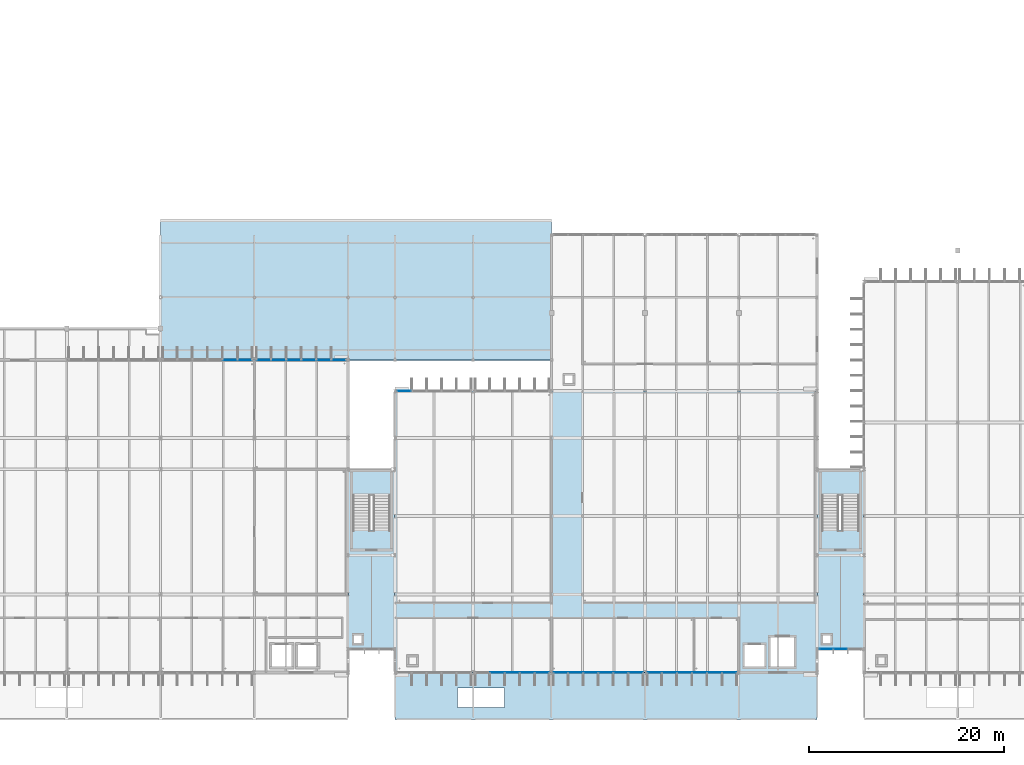
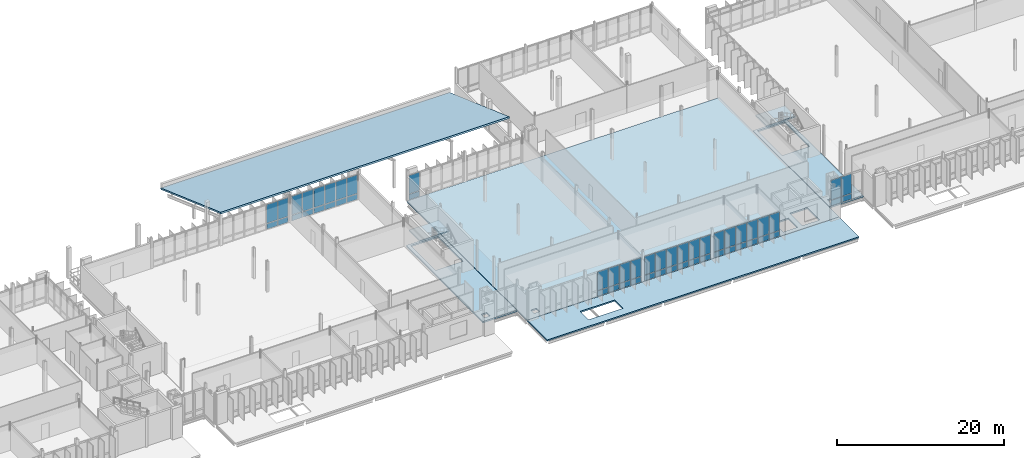
# One storey, part 49 of 107: 54 plates, 7 slabs, 9 elements without a shape of their own.
"""IFC4 building model written with IfcOpenShell, lengths in metres."""

from ifc_helpers import new_model, si_unit, direction, frame, origin, origin_2d, place, context, subcontext, project, spatial, polyline, rectangle, outline, extrude, material, layer, layer_set, type_object, element, aggregate, save


model = new_model("IFC4")

# Units and contexts
model_context = context("Model", 3, precision=1e-05, world=origin(), true_north=direction((0.0, 1.0)))
body_context = subcontext(model_context, "Body", "Model", "MODEL_VIEW")
ifc_project = project(units=[si_unit("LENGTHUNIT", "METRE"), si_unit("AREAUNIT", "SQUARE_METRE"), si_unit("VOLUMEUNIT", "CUBIC_METRE"), si_unit("PLANEANGLEUNIT", "RADIAN"), si_unit("MASSUNIT", "GRAM", prefix="KILO")], contexts=[model_context])

# Site, building, storey
site_placement = place(None, origin())
site = spatial("IfcSite", under=ifc_project, at=site_placement, CompositionType="ELEMENT")
building_placement = place(site_placement, origin())
building = spatial("IfcBuilding", under=site, at=building_placement, Name="Dunescarp Central Library", CompositionType="ELEMENT")
storey_placement = place(building_placement, frame((0.0, 0.0, 5.10009765625)))
storey = spatial("IfcBuildingStorey", under=building, at=storey_placement, Name="L01", CompositionType="ELEMENT", Elevation=5.10009765625)

# Curtain wall, plates
ifc_material_1 = material(Name="Marine-grade anodised aluminium 6063-T6", Category="aluminium")
curtain_wall_type_1 = type_object("IfcCurtainWallType", Name="ARC-CW-STICK", PredefinedType="NOTDEFINED", material=ifc_material_1)
curtain_wall_1_placement = place(storey_placement, origin())
curtain_wall_1 = element("IfcCurtainWall", 1, at=curtain_wall_1_placement, inside=storey, type_object=curtain_wall_type_1, Name="L01 curtain wall CW-V2-052", PredefinedType="NOTDEFINED")
ifc_material_2 = material(Name="Solar-control laminated double glazing", Category="glass")
ifc_layer_1 = layer(ifc_material_2, 0.028076171875)
ifc_layer_set_1 = layer_set([ifc_layer_1], Name="Solar-control laminated double glazing")
plate_type_1 = type_object("IfcPlateType", Name="ARC-PLT-GLZ28", PredefinedType="CURTAIN_PANEL", material=ifc_layer_set_1)
plate_1_placement = place(storey_placement, frame((64.71240234375, 36.800048828125, 0.93994140625), z_axis=(0.0, 0.0, 1.0), x_axis=(1.0, 0.0, 0.0)))
plate_1 = element("IfcPlate", 2, at=plate_1_placement, type_object=plate_type_1, Name="CW-V2-052 panel 5.2", PredefinedType="CURTAIN_PANEL", context=body_context, shape_type="SweptSolid", body=[
    extrude(rectangle(XDim=1.461669921875, YDim=0.028076171875, at=origin_2d()), origin(), (0.0, 0.0, 1.0), 2.7451171875),
])
plate_2_placement = place(storey_placement, frame((66.234130859375, 36.800048828125, 0.93994140625), z_axis=(0.0, 0.0, 1.0), x_axis=(1.0, 0.0, 0.0)))
plate_2 = element("IfcPlate", 3, at=plate_2_placement, type_object=plate_type_1, Name="CW-V2-052 panel 6.2", PredefinedType="CURTAIN_PANEL", context=body_context, shape_type="SweptSolid", body=[
    extrude(rectangle(XDim=1.421630859375, YDim=0.028076171875, at=origin_2d()), origin(), (0.0, 0.0, 1.0), 2.7451171875),
])

curtain_wall_2_placement = place(storey_placement, origin())
curtain_wall_2 = element("IfcCurtainWall", 4, at=curtain_wall_2_placement, inside=storey, type_object=curtain_wall_type_1, Name="L01 curtain wall CW-V2-053", PredefinedType="NOTDEFINED")
plate_3_placement = place(storey_placement, frame((68.165771484375, 36.800048828125, 0.93994140625), z_axis=(0.0, 0.0, 1.0), x_axis=(1.0, 0.0, 0.0)))
plate_3 = element("IfcPlate", 5, at=plate_3_placement, type_object=plate_type_1, Name="CW-V2-053 panel 1.2", PredefinedType="CURTAIN_PANEL", context=body_context, shape_type="SweptSolid", body=[
    extrude(rectangle(XDim=1.421630859375, YDim=0.028076171875, at=origin_2d()), origin(), (0.0, 0.0, 1.0), 2.7451171875),
])
plate_4_placement = place(storey_placement, frame((69.6875, 36.800048828125, 0.93994140625), z_axis=(0.0, 0.0, 1.0), x_axis=(1.0, 0.0, 0.0)))
plate_4 = element("IfcPlate", 6, at=plate_4_placement, type_object=plate_type_1, Name="CW-V2-053 panel 2.2", PredefinedType="CURTAIN_PANEL", context=body_context, shape_type="SweptSolid", body=[
    extrude(rectangle(XDim=1.461669921875, YDim=0.028076171875, at=origin_2d()), origin(), (0.0, 0.0, 1.0), 2.7451171875),
])
plate_5_placement = place(storey_placement, frame((71.229248046875, 36.800048828125, 0.93994140625), z_axis=(0.0, 0.0, 1.0), x_axis=(1.0, 0.0, 0.0)))
plate_5 = element("IfcPlate", 7, at=plate_5_placement, type_object=plate_type_1, Name="CW-V2-053 panel 3.2", PredefinedType="CURTAIN_PANEL", context=body_context, shape_type="SweptSolid", body=[
    extrude(rectangle(XDim=1.461669921875, YDim=0.028076171875, at=origin_2d()), origin(), (0.0, 0.0, 1.0), 2.7451171875),
])
plate_6_placement = place(storey_placement, frame((72.770751953125, 36.800048828125, 0.93994140625), z_axis=(0.0, 0.0, 1.0), x_axis=(1.0, 0.0, 0.0)))
plate_6 = element("IfcPlate", 8, at=plate_6_placement, type_object=plate_type_1, Name="CW-V2-053 panel 4.2", PredefinedType="CURTAIN_PANEL", context=body_context, shape_type="SweptSolid", body=[
    extrude(rectangle(XDim=1.461669921875, YDim=0.028076171875, at=origin_2d()), origin(), (0.0, 0.0, 1.0), 2.7451171875),
])
plate_7_placement = place(storey_placement, frame((74.3125, 36.800048828125, 0.93994140625), z_axis=(0.0, 0.0, 1.0), x_axis=(1.0, 0.0, 0.0)))
plate_7 = element("IfcPlate", 9, at=plate_7_placement, type_object=plate_type_1, Name="CW-V2-053 panel 5.2", PredefinedType="CURTAIN_PANEL", context=body_context, shape_type="SweptSolid", body=[
    extrude(rectangle(XDim=1.461669921875, YDim=0.028076171875, at=origin_2d()), origin(), (0.0, 0.0, 1.0), 2.7451171875),
])
plate_8_placement = place(storey_placement, frame((75.834228515625, 36.800048828125, 0.93994140625), z_axis=(0.0, 0.0, 1.0), x_axis=(1.0, 0.0, 0.0)))
plate_8 = element("IfcPlate", 10, at=plate_8_placement, type_object=plate_type_1, Name="CW-V2-053 panel 6.2", PredefinedType="CURTAIN_PANEL", context=body_context, shape_type="SweptSolid", body=[
    extrude(rectangle(XDim=1.421630859375, YDim=0.028076171875, at=origin_2d()), origin(), (0.0, 0.0, 1.0), 2.7451171875),
])

curtain_wall_3_placement = place(storey_placement, origin())
curtain_wall_3 = element("IfcCurtainWall", 11, at=curtain_wall_3_placement, inside=storey, type_object=curtain_wall_type_1, Name="L01 curtain wall CW-V3-085", PredefinedType="NOTDEFINED")
plate_9_placement = place(storey_placement, frame((96.639892578125, 4.800048828125, 0.93994140625), z_axis=(0.0, 0.0, 1.0), x_axis=(-1.0, 0.0, 0.0)))
plate_9 = element("IfcPlate", 12, at=plate_9_placement, type_object=plate_type_1, Name="CW-V3-085 panel 1.2", PredefinedType="CURTAIN_PANEL", context=body_context, shape_type="SweptSolid", body=[
    extrude(rectangle(XDim=1.409912109375, YDim=0.028076171875, at=origin_2d()), origin(), (0.0, 0.0, 1.0), 2.695068359375),
])
plate_10_placement = place(storey_placement, frame((95.1298828125, 4.800048828125, 0.93994140625), z_axis=(0.0, 0.0, 1.0), x_axis=(-1.0, 0.0, 0.0)))
plate_10 = element("IfcPlate", 13, at=plate_10_placement, type_object=plate_type_1, Name="CW-V3-085 panel 2.2", PredefinedType="CURTAIN_PANEL", context=body_context, shape_type="SweptSolid", body=[
    extrude(rectangle(XDim=1.449951171875, YDim=0.028076171875, at=origin_2d()), origin(), (0.0, 0.0, 1.0), 2.695068359375),
])
plate_11_placement = place(storey_placement, frame((93.60009765625, 4.800048828125, 0.93994140625), z_axis=(0.0, 0.0, 1.0), x_axis=(-1.0, 0.0, 0.0)))
plate_11 = element("IfcPlate", 14, at=plate_11_placement, type_object=plate_type_1, Name="CW-V3-085 panel 3.2", PredefinedType="CURTAIN_PANEL", context=body_context, shape_type="SweptSolid", body=[
    extrude(rectangle(XDim=1.449951171875, YDim=0.028076171875, at=origin_2d()), origin(), (0.0, 0.0, 1.0), 2.695068359375),
])
plate_12_placement = place(storey_placement, frame((92.070068359375, 4.800048828125, 0.93994140625), z_axis=(0.0, 0.0, 1.0), x_axis=(-1.0, 0.0, 0.0)))
plate_12 = element("IfcPlate", 15, at=plate_12_placement, type_object=plate_type_1, Name="CW-V3-085 panel 4.2", PredefinedType="CURTAIN_PANEL", context=body_context, shape_type="SweptSolid", body=[
    extrude(rectangle(XDim=1.449951171875, YDim=0.028076171875, at=origin_2d()), origin(), (0.0, 0.0, 1.0), 2.695068359375),
])

curtain_wall_4_placement = place(storey_placement, origin())
curtain_wall_4 = element("IfcCurtainWall", 16, at=curtain_wall_4_placement, inside=storey, type_object=curtain_wall_type_1, Name="L01 curtain wall CW-V3-086", PredefinedType="NOTDEFINED")
plate_13_placement = place(storey_placement, frame((106.234130859375, 4.800048828125, 0.93994140625), z_axis=(0.0, 0.0, 1.0), x_axis=(-1.0, 0.0, 0.0)))
plate_13 = element("IfcPlate", 17, at=plate_13_placement, type_object=plate_type_1, Name="CW-V3-086 panel 1.2", PredefinedType="CURTAIN_PANEL", context=body_context, shape_type="SweptSolid", body=[
    extrude(rectangle(XDim=1.421630859375, YDim=0.028076171875, at=origin_2d()), origin(), (0.0, 0.0, 1.0), 2.695068359375),
])
plate_14_placement = place(storey_placement, frame((104.71240234375, 4.800048828125, 0.93994140625), z_axis=(0.0, 0.0, 1.0), x_axis=(-1.0, 0.0, 0.0)))
plate_14 = element("IfcPlate", 18, at=plate_14_placement, type_object=plate_type_1, Name="CW-V3-086 panel 2.2", PredefinedType="CURTAIN_PANEL", context=body_context, shape_type="SweptSolid", body=[
    extrude(rectangle(XDim=1.461669921875, YDim=0.028076171875, at=origin_2d()), origin(), (0.0, 0.0, 1.0), 2.695068359375),
])
plate_15_placement = place(storey_placement, frame((103.1708984375, 4.800048828125, 0.93994140625), z_axis=(0.0, 0.0, 1.0), x_axis=(-1.0, 0.0, 0.0)))
plate_15 = element("IfcPlate", 19, at=plate_15_placement, type_object=plate_type_1, Name="CW-V3-086 panel 3.2", PredefinedType="CURTAIN_PANEL", context=body_context, shape_type="SweptSolid", body=[
    extrude(rectangle(XDim=1.461669921875, YDim=0.028076171875, at=origin_2d()), origin(), (0.0, 0.0, 1.0), 2.695068359375),
])
plate_16_placement = place(storey_placement, frame((101.629150390625, 4.800048828125, 0.93994140625), z_axis=(0.0, 0.0, 1.0), x_axis=(-1.0, 0.0, 0.0)))
plate_16 = element("IfcPlate", 20, at=plate_16_placement, type_object=plate_type_1, Name="CW-V3-086 panel 4.2", PredefinedType="CURTAIN_PANEL", context=body_context, shape_type="SweptSolid", body=[
    extrude(rectangle(XDim=1.461669921875, YDim=0.028076171875, at=origin_2d()), origin(), (0.0, 0.0, 1.0), 2.695068359375),
])
plate_17_placement = place(storey_placement, frame((100.08740234375, 4.800048828125, 0.93994140625), z_axis=(0.0, 0.0, 1.0), x_axis=(-1.0, 0.0, 0.0)))
plate_17 = element("IfcPlate", 21, at=plate_17_placement, type_object=plate_type_1, Name="CW-V3-086 panel 5.2", PredefinedType="CURTAIN_PANEL", context=body_context, shape_type="SweptSolid", body=[
    extrude(rectangle(XDim=1.461669921875, YDim=0.028076171875, at=origin_2d()), origin(), (0.0, 0.0, 1.0), 2.695068359375),
])
plate_18_placement = place(storey_placement, frame((98.56591796875, 4.800048828125, 0.93994140625), z_axis=(0.0, 0.0, 1.0), x_axis=(-1.0, 0.0, 0.0)))
plate_18 = element("IfcPlate", 22, at=plate_18_placement, type_object=plate_type_1, Name="CW-V3-086 panel 6.2", PredefinedType="CURTAIN_PANEL", context=body_context, shape_type="SweptSolid", body=[
    extrude(rectangle(XDim=1.421630859375, YDim=0.028076171875, at=origin_2d()), origin(), (0.0, 0.0, 1.0), 2.695068359375),
])

curtain_wall_5_placement = place(storey_placement, origin())
curtain_wall_5 = element("IfcCurtainWall", 23, at=curtain_wall_5_placement, inside=storey, type_object=curtain_wall_type_1, Name="L01 curtain wall CW-V3-087", PredefinedType="NOTDEFINED")
plate_19_placement = place(storey_placement, frame((115.834228515625, 4.800048828125, 0.93994140625), z_axis=(0.0, 0.0, 1.0), x_axis=(-1.0, 0.0, 0.0)))
plate_19 = element("IfcPlate", 24, at=plate_19_placement, type_object=plate_type_1, Name="CW-V3-087 panel 1.2", PredefinedType="CURTAIN_PANEL", context=body_context, shape_type="SweptSolid", body=[
    extrude(rectangle(XDim=1.421630859375, YDim=0.028076171875, at=origin_2d()), origin(), (0.0, 0.0, 1.0), 2.695068359375),
])
plate_20_placement = place(storey_placement, frame((114.3125, 4.800048828125, 0.93994140625), z_axis=(0.0, 0.0, 1.0), x_axis=(-1.0, 0.0, 0.0)))
plate_20 = element("IfcPlate", 25, at=plate_20_placement, type_object=plate_type_1, Name="CW-V3-087 panel 2.2", PredefinedType="CURTAIN_PANEL", context=body_context, shape_type="SweptSolid", body=[
    extrude(rectangle(XDim=1.461669921875, YDim=0.028076171875, at=origin_2d()), origin(), (0.0, 0.0, 1.0), 2.695068359375),
])
plate_21_placement = place(storey_placement, frame((112.770751953125, 4.800048828125, 0.93994140625), z_axis=(0.0, 0.0, 1.0), x_axis=(-1.0, 0.0, 0.0)))
plate_21 = element("IfcPlate", 26, at=plate_21_placement, type_object=plate_type_1, Name="CW-V3-087 panel 3.2", PredefinedType="CURTAIN_PANEL", context=body_context, shape_type="SweptSolid", body=[
    extrude(rectangle(XDim=1.461669921875, YDim=0.028076171875, at=origin_2d()), origin(), (0.0, 0.0, 1.0), 2.695068359375),
])
plate_22_placement = place(storey_placement, frame((111.229248046875, 4.800048828125, 0.93994140625), z_axis=(0.0, 0.0, 1.0), x_axis=(-1.0, 0.0, 0.0)))
plate_22 = element("IfcPlate", 27, at=plate_22_placement, type_object=plate_type_1, Name="CW-V3-087 panel 4.2", PredefinedType="CURTAIN_PANEL", context=body_context, shape_type="SweptSolid", body=[
    extrude(rectangle(XDim=1.461669921875, YDim=0.028076171875, at=origin_2d()), origin(), (0.0, 0.0, 1.0), 2.695068359375),
])
plate_23_placement = place(storey_placement, frame((109.6875, 4.800048828125, 0.93994140625), z_axis=(0.0, 0.0, 1.0), x_axis=(-1.0, 0.0, 0.0)))
plate_23 = element("IfcPlate", 28, at=plate_23_placement, type_object=plate_type_1, Name="CW-V3-087 panel 5.2", PredefinedType="CURTAIN_PANEL", context=body_context, shape_type="SweptSolid", body=[
    extrude(rectangle(XDim=1.461669921875, YDim=0.028076171875, at=origin_2d()), origin(), (0.0, 0.0, 1.0), 2.695068359375),
])
plate_24_placement = place(storey_placement, frame((108.165771484375, 4.800048828125, 0.93994140625), z_axis=(0.0, 0.0, 1.0), x_axis=(-1.0, 0.0, 0.0)))
plate_24 = element("IfcPlate", 29, at=plate_24_placement, type_object=plate_type_1, Name="CW-V3-087 panel 6.2", PredefinedType="CURTAIN_PANEL", context=body_context, shape_type="SweptSolid", body=[
    extrude(rectangle(XDim=1.421630859375, YDim=0.028076171875, at=origin_2d()), origin(), (0.0, 0.0, 1.0), 2.695068359375),
])

# Curtain wall, plate
curtain_wall_6_placement = place(storey_placement, origin())
curtain_wall_6 = element("IfcCurtainWall", 30, at=curtain_wall_6_placement, inside=storey, type_object=curtain_wall_type_1, Name="L01 curtain wall CW-V3-088", PredefinedType="NOTDEFINED")
plate_25_placement = place(storey_placement, frame((82.56005859375, 33.60009765625, 0.93994140625), z_axis=(0.0, 0.0, 1.0), x_axis=(1.0, 0.0, 0.0)))
plate_25 = element("IfcPlate", 31, at=plate_25_placement, type_object=plate_type_1, Name="CW-V3-088 panel 1.2", PredefinedType="CURTAIN_PANEL", context=body_context, shape_type="SweptSolid", body=[
    extrude(rectangle(XDim=1.409912109375, YDim=0.028076171875, at=origin_2d()), origin(), (0.0, 0.0, 1.0), 2.695068359375),
])

# Curtain wall, plates
curtain_wall_type_2 = type_object("IfcCurtainWallType", Name="ARC-CW-LINK", PredefinedType="USERDEFINED", material=ifc_material_1)
curtain_wall_7_placement = place(storey_placement, origin())
curtain_wall_7 = element("IfcCurtainWall", 32, at=curtain_wall_7_placement, inside=storey, type_object=curtain_wall_type_2, Name="L01 curtain wall CW-GL3-S-L01", ObjectType="GLAZED_LINK_WALL", PredefinedType="USERDEFINED")
plate_26_placement = place(storey_placement, frame((127.199951171875, 7.199951171875, 0.93994140625), z_axis=(0.0, 0.0, 1.0), x_axis=(-1.0, 0.0, 0.0)))
plate_26 = element("IfcPlate", 33, at=plate_26_placement, type_object=plate_type_1, Name="CW-GL3-S-L01 panel 2.2", PredefinedType="CURTAIN_PANEL", context=body_context, shape_type="SweptSolid", body=[
    extrude(rectangle(XDim=1.4033203125, YDim=0.028076171875, at=origin_2d()), origin(), (0.0, 0.0, 1.0), 2.85498046875),
])
plate_27_placement = place(storey_placement, frame((125.736572265625, 7.199951171875, 0.93994140625), z_axis=(0.0, 0.0, 1.0), x_axis=(-1.0, 0.0, 0.0)))
plate_27 = element("IfcPlate", 34, at=plate_27_placement, type_object=plate_type_1, Name="CW-GL3-S-L01 panel 3.2", PredefinedType="CURTAIN_PANEL", context=body_context, shape_type="SweptSolid", body=[
    extrude(rectangle(XDim=1.36328125, YDim=0.028076171875, at=origin_2d()), origin(), (0.0, 0.0, 1.0), 2.85498046875),
])

# Plate
ifc_layer_2 = layer(ifc_material_1, 0.050048828125)
ifc_layer_set_2 = layer_set([ifc_layer_2], Name="Marine-grade anodised aluminium 6063-T6")
plate_type_2 = type_object("IfcPlateType", Name="ARC-PLT-SPN50", PredefinedType="SHEET", material=ifc_layer_set_2)
plate_28_placement = place(storey_placement, frame((64.71240234375, 36.800048828125, 0.080078125), z_axis=(0.0, 0.0, 1.0), x_axis=(1.0, 0.0, 0.0)))
plate_28 = element("IfcPlate", 35, at=plate_28_placement, type_object=plate_type_2, Name="CW-V2-052 panel 5.1", PredefinedType="SHEET", context=body_context, shape_type="SweptSolid", body=[
    extrude(rectangle(XDim=1.461669921875, YDim=0.050048828125, at=origin_2d()), origin(), (0.0, 0.0, 1.0), 0.780029296875),
])

plate_29_placement = place(storey_placement, frame((66.234130859375, 36.800048828125, 0.080078125), z_axis=(0.0, 0.0, 1.0), x_axis=(1.0, 0.0, 0.0)))
plate_29 = element("IfcPlate", 36, at=plate_29_placement, type_object=plate_type_2, Name="CW-V2-052 panel 6.1", PredefinedType="SHEET", context=body_context, shape_type="SweptSolid", body=[
    extrude(rectangle(XDim=1.421630859375, YDim=0.050048828125, at=origin_2d()), origin(), (0.0, 0.0, 1.0), 0.780029296875),
])

aggregate(curtain_wall_1, [plate_28, plate_1, plate_29, plate_2])

plate_30_placement = place(storey_placement, frame((68.165771484375, 36.800048828125, 0.080078125), z_axis=(0.0, 0.0, 1.0), x_axis=(1.0, 0.0, 0.0)))
plate_30 = element("IfcPlate", 37, at=plate_30_placement, type_object=plate_type_2, Name="CW-V2-053 panel 1.1", PredefinedType="SHEET", context=body_context, shape_type="SweptSolid", body=[
    extrude(rectangle(XDim=1.421630859375, YDim=0.050048828125, at=origin_2d()), origin(), (0.0, 0.0, 1.0), 0.780029296875),
])

plate_31_placement = place(storey_placement, frame((69.6875, 36.800048828125, 0.080078125), z_axis=(0.0, 0.0, 1.0), x_axis=(1.0, 0.0, 0.0)))
plate_31 = element("IfcPlate", 38, at=plate_31_placement, type_object=plate_type_2, Name="CW-V2-053 panel 2.1", PredefinedType="SHEET", context=body_context, shape_type="SweptSolid", body=[
    extrude(rectangle(XDim=1.461669921875, YDim=0.050048828125, at=origin_2d()), origin(), (0.0, 0.0, 1.0), 0.780029296875),
])

plate_32_placement = place(storey_placement, frame((71.229248046875, 36.800048828125, 0.080078125), z_axis=(0.0, 0.0, 1.0), x_axis=(1.0, 0.0, 0.0)))
plate_32 = element("IfcPlate", 39, at=plate_32_placement, type_object=plate_type_2, Name="CW-V2-053 panel 3.1", PredefinedType="SHEET", context=body_context, shape_type="SweptSolid", body=[
    extrude(rectangle(XDim=1.461669921875, YDim=0.050048828125, at=origin_2d()), origin(), (0.0, 0.0, 1.0), 0.780029296875),
])

plate_33_placement = place(storey_placement, frame((72.770751953125, 36.800048828125, 0.080078125), z_axis=(0.0, 0.0, 1.0), x_axis=(1.0, 0.0, 0.0)))
plate_33 = element("IfcPlate", 40, at=plate_33_placement, type_object=plate_type_2, Name="CW-V2-053 panel 4.1", PredefinedType="SHEET", context=body_context, shape_type="SweptSolid", body=[
    extrude(rectangle(XDim=1.461669921875, YDim=0.050048828125, at=origin_2d()), origin(), (0.0, 0.0, 1.0), 0.780029296875),
])

plate_34_placement = place(storey_placement, frame((74.3125, 36.800048828125, 0.080078125), z_axis=(0.0, 0.0, 1.0), x_axis=(1.0, 0.0, 0.0)))
plate_34 = element("IfcPlate", 41, at=plate_34_placement, type_object=plate_type_2, Name="CW-V2-053 panel 5.1", PredefinedType="SHEET", context=body_context, shape_type="SweptSolid", body=[
    extrude(rectangle(XDim=1.461669921875, YDim=0.050048828125, at=origin_2d()), origin(), (0.0, 0.0, 1.0), 0.780029296875),
])

plate_35_placement = place(storey_placement, frame((75.834228515625, 36.800048828125, 0.080078125), z_axis=(0.0, 0.0, 1.0), x_axis=(1.0, 0.0, 0.0)))
plate_35 = element("IfcPlate", 42, at=plate_35_placement, type_object=plate_type_2, Name="CW-V2-053 panel 6.1", PredefinedType="SHEET", context=body_context, shape_type="SweptSolid", body=[
    extrude(rectangle(XDim=1.421630859375, YDim=0.050048828125, at=origin_2d()), origin(), (0.0, 0.0, 1.0), 0.780029296875),
])

aggregate(curtain_wall_2, [plate_30, plate_3, plate_31, plate_4, plate_32, plate_5, plate_33, plate_6, plate_34, plate_7, plate_35, plate_8])

plate_36_placement = place(storey_placement, frame((96.639892578125, 4.800048828125, 0.080078125), z_axis=(0.0, 0.0, 1.0), x_axis=(-1.0, 0.0, 0.0)))
plate_36 = element("IfcPlate", 43, at=plate_36_placement, type_object=plate_type_2, Name="CW-V3-085 panel 1.1", PredefinedType="SHEET", context=body_context, shape_type="SweptSolid", body=[
    extrude(rectangle(XDim=1.409912109375, YDim=0.050048828125, at=origin_2d()), origin(), (0.0, 0.0, 1.0), 0.780029296875),
])

plate_37_placement = place(storey_placement, frame((95.1298828125, 4.800048828125, 0.080078125), z_axis=(0.0, 0.0, 1.0), x_axis=(-1.0, 0.0, 0.0)))
plate_37 = element("IfcPlate", 44, at=plate_37_placement, type_object=plate_type_2, Name="CW-V3-085 panel 2.1", PredefinedType="SHEET", context=body_context, shape_type="SweptSolid", body=[
    extrude(rectangle(XDim=1.449951171875, YDim=0.050048828125, at=origin_2d()), origin(), (0.0, 0.0, 1.0), 0.780029296875),
])

plate_38_placement = place(storey_placement, frame((93.60009765625, 4.800048828125, 0.080078125), z_axis=(0.0, 0.0, 1.0), x_axis=(-1.0, 0.0, 0.0)))
plate_38 = element("IfcPlate", 45, at=plate_38_placement, type_object=plate_type_2, Name="CW-V3-085 panel 3.1", PredefinedType="SHEET", context=body_context, shape_type="SweptSolid", body=[
    extrude(rectangle(XDim=1.449951171875, YDim=0.050048828125, at=origin_2d()), origin(), (0.0, 0.0, 1.0), 0.780029296875),
])

plate_39_placement = place(storey_placement, frame((92.070068359375, 4.800048828125, 0.080078125), z_axis=(0.0, 0.0, 1.0), x_axis=(-1.0, 0.0, 0.0)))
plate_39 = element("IfcPlate", 46, at=plate_39_placement, type_object=plate_type_2, Name="CW-V3-085 panel 4.1", PredefinedType="SHEET", context=body_context, shape_type="SweptSolid", body=[
    extrude(rectangle(XDim=1.449951171875, YDim=0.050048828125, at=origin_2d()), origin(), (0.0, 0.0, 1.0), 0.780029296875),
])

aggregate(curtain_wall_3, [plate_36, plate_9, plate_37, plate_10, plate_38, plate_11, plate_39, plate_12])

plate_40_placement = place(storey_placement, frame((106.234130859375, 4.800048828125, 0.080078125), z_axis=(0.0, 0.0, 1.0), x_axis=(-1.0, 0.0, 0.0)))
plate_40 = element("IfcPlate", 47, at=plate_40_placement, type_object=plate_type_2, Name="CW-V3-086 panel 1.1", PredefinedType="SHEET", context=body_context, shape_type="SweptSolid", body=[
    extrude(rectangle(XDim=1.421630859375, YDim=0.050048828125, at=origin_2d()), origin(), (0.0, 0.0, 1.0), 0.780029296875),
])

plate_41_placement = place(storey_placement, frame((104.71240234375, 4.800048828125, 0.080078125), z_axis=(0.0, 0.0, 1.0), x_axis=(-1.0, 0.0, 0.0)))
plate_41 = element("IfcPlate", 48, at=plate_41_placement, type_object=plate_type_2, Name="CW-V3-086 panel 2.1", PredefinedType="SHEET", context=body_context, shape_type="SweptSolid", body=[
    extrude(rectangle(XDim=1.461669921875, YDim=0.050048828125, at=origin_2d()), origin(), (0.0, 0.0, 1.0), 0.780029296875),
])

plate_42_placement = place(storey_placement, frame((103.1708984375, 4.800048828125, 0.080078125), z_axis=(0.0, 0.0, 1.0), x_axis=(-1.0, 0.0, 0.0)))
plate_42 = element("IfcPlate", 49, at=plate_42_placement, type_object=plate_type_2, Name="CW-V3-086 panel 3.1", PredefinedType="SHEET", context=body_context, shape_type="SweptSolid", body=[
    extrude(rectangle(XDim=1.461669921875, YDim=0.050048828125, at=origin_2d()), origin(), (0.0, 0.0, 1.0), 0.780029296875),
])

plate_43_placement = place(storey_placement, frame((101.629150390625, 4.800048828125, 0.080078125), z_axis=(0.0, 0.0, 1.0), x_axis=(-1.0, 0.0, 0.0)))
plate_43 = element("IfcPlate", 50, at=plate_43_placement, type_object=plate_type_2, Name="CW-V3-086 panel 4.1", PredefinedType="SHEET", context=body_context, shape_type="SweptSolid", body=[
    extrude(rectangle(XDim=1.461669921875, YDim=0.050048828125, at=origin_2d()), origin(), (0.0, 0.0, 1.0), 0.780029296875),
])

plate_44_placement = place(storey_placement, frame((100.08740234375, 4.800048828125, 0.080078125), z_axis=(0.0, 0.0, 1.0), x_axis=(-1.0, 0.0, 0.0)))
plate_44 = element("IfcPlate", 51, at=plate_44_placement, type_object=plate_type_2, Name="CW-V3-086 panel 5.1", PredefinedType="SHEET", context=body_context, shape_type="SweptSolid", body=[
    extrude(rectangle(XDim=1.461669921875, YDim=0.050048828125, at=origin_2d()), origin(), (0.0, 0.0, 1.0), 0.780029296875),
])

plate_45_placement = place(storey_placement, frame((98.56591796875, 4.800048828125, 0.080078125), z_axis=(0.0, 0.0, 1.0), x_axis=(-1.0, 0.0, 0.0)))
plate_45 = element("IfcPlate", 52, at=plate_45_placement, type_object=plate_type_2, Name="CW-V3-086 panel 6.1", PredefinedType="SHEET", context=body_context, shape_type="SweptSolid", body=[
    extrude(rectangle(XDim=1.421630859375, YDim=0.050048828125, at=origin_2d()), origin(), (0.0, 0.0, 1.0), 0.780029296875),
])

aggregate(curtain_wall_4, [plate_40, plate_13, plate_41, plate_14, plate_42, plate_15, plate_43, plate_16, plate_44, plate_17, plate_45, plate_18])

plate_46_placement = place(storey_placement, frame((115.834228515625, 4.800048828125, 0.080078125), z_axis=(0.0, 0.0, 1.0), x_axis=(-1.0, 0.0, 0.0)))
plate_46 = element("IfcPlate", 53, at=plate_46_placement, type_object=plate_type_2, Name="CW-V3-087 panel 1.1", PredefinedType="SHEET", context=body_context, shape_type="SweptSolid", body=[
    extrude(rectangle(XDim=1.421630859375, YDim=0.050048828125, at=origin_2d()), origin(), (0.0, 0.0, 1.0), 0.780029296875),
])

plate_47_placement = place(storey_placement, frame((114.3125, 4.800048828125, 0.080078125), z_axis=(0.0, 0.0, 1.0), x_axis=(-1.0, 0.0, 0.0)))
plate_47 = element("IfcPlate", 54, at=plate_47_placement, type_object=plate_type_2, Name="CW-V3-087 panel 2.1", PredefinedType="SHEET", context=body_context, shape_type="SweptSolid", body=[
    extrude(rectangle(XDim=1.461669921875, YDim=0.050048828125, at=origin_2d()), origin(), (0.0, 0.0, 1.0), 0.780029296875),
])

plate_48_placement = place(storey_placement, frame((112.770751953125, 4.800048828125, 0.080078125), z_axis=(0.0, 0.0, 1.0), x_axis=(-1.0, 0.0, 0.0)))
plate_48 = element("IfcPlate", 55, at=plate_48_placement, type_object=plate_type_2, Name="CW-V3-087 panel 3.1", PredefinedType="SHEET", context=body_context, shape_type="SweptSolid", body=[
    extrude(rectangle(XDim=1.461669921875, YDim=0.050048828125, at=origin_2d()), origin(), (0.0, 0.0, 1.0), 0.780029296875),
])

plate_49_placement = place(storey_placement, frame((111.229248046875, 4.800048828125, 0.080078125), z_axis=(0.0, 0.0, 1.0), x_axis=(-1.0, 0.0, 0.0)))
plate_49 = element("IfcPlate", 56, at=plate_49_placement, type_object=plate_type_2, Name="CW-V3-087 panel 4.1", PredefinedType="SHEET", context=body_context, shape_type="SweptSolid", body=[
    extrude(rectangle(XDim=1.461669921875, YDim=0.050048828125, at=origin_2d()), origin(), (0.0, 0.0, 1.0), 0.780029296875),
])

plate_50_placement = place(storey_placement, frame((109.6875, 4.800048828125, 0.080078125), z_axis=(0.0, 0.0, 1.0), x_axis=(-1.0, 0.0, 0.0)))
plate_50 = element("IfcPlate", 57, at=plate_50_placement, type_object=plate_type_2, Name="CW-V3-087 panel 5.1", PredefinedType="SHEET", context=body_context, shape_type="SweptSolid", body=[
    extrude(rectangle(XDim=1.461669921875, YDim=0.050048828125, at=origin_2d()), origin(), (0.0, 0.0, 1.0), 0.780029296875),
])

plate_51_placement = place(storey_placement, frame((108.165771484375, 4.800048828125, 0.080078125), z_axis=(0.0, 0.0, 1.0), x_axis=(-1.0, 0.0, 0.0)))
plate_51 = element("IfcPlate", 58, at=plate_51_placement, type_object=plate_type_2, Name="CW-V3-087 panel 6.1", PredefinedType="SHEET", context=body_context, shape_type="SweptSolid", body=[
    extrude(rectangle(XDim=1.421630859375, YDim=0.050048828125, at=origin_2d()), origin(), (0.0, 0.0, 1.0), 0.780029296875),
])

aggregate(curtain_wall_5, [plate_46, plate_19, plate_47, plate_20, plate_48, plate_21, plate_49, plate_22, plate_50, plate_23, plate_51, plate_24])

plate_52_placement = place(storey_placement, frame((82.56005859375, 33.60009765625, 0.080078125), z_axis=(0.0, 0.0, 1.0), x_axis=(1.0, 0.0, 0.0)))
plate_52 = element("IfcPlate", 59, at=plate_52_placement, type_object=plate_type_2, Name="CW-V3-088 panel 1.1", PredefinedType="SHEET", context=body_context, shape_type="SweptSolid", body=[
    extrude(rectangle(XDim=1.409912109375, YDim=0.050048828125, at=origin_2d()), origin(), (0.0, 0.0, 1.0), 0.780029296875),
])

aggregate(curtain_wall_6, [plate_52, plate_25])

plate_53_placement = place(storey_placement, frame((127.199951171875, 7.199951171875, 0.080078125), z_axis=(0.0, 0.0, 1.0), x_axis=(-1.0, 0.0, 0.0)))
plate_53 = element("IfcPlate", 60, at=plate_53_placement, type_object=plate_type_2, Name="CW-GL3-S-L01 panel 2.1", PredefinedType="SHEET", context=body_context, shape_type="SweptSolid", body=[
    extrude(rectangle(XDim=1.4033203125, YDim=0.050048828125, at=origin_2d()), origin(), (0.0, 0.0, 1.0), 0.780029296875),
])

plate_54_placement = place(storey_placement, frame((125.736572265625, 7.199951171875, 0.080078125), z_axis=(0.0, 0.0, 1.0), x_axis=(-1.0, 0.0, 0.0)))
plate_54 = element("IfcPlate", 61, at=plate_54_placement, type_object=plate_type_2, Name="CW-GL3-S-L01 panel 3.1", PredefinedType="SHEET", context=body_context, shape_type="SweptSolid", body=[
    extrude(rectangle(XDim=1.36328125, YDim=0.050048828125, at=origin_2d()), origin(), (0.0, 0.0, 1.0), 0.780029296875),
])

aggregate(curtain_wall_7, [plate_53, plate_26, plate_54, plate_27])

# Stair, slab
ifc_material_3 = material(Name="Concrete C35/45", Category="concrete")
stair_type = type_object("IfcStairType", Name="ARC-STR-TYP", PredefinedType="HALF_TURN_STAIR", material=ifc_material_3)
stair_1_placement = place(storey_placement, origin())
stair_1 = element("IfcStair", 62, at=stair_1_placement, inside=storey, type_object=stair_type, Name="L01 Protected escape stair ST-3", PredefinedType="HALF_TURN_STAIR")
ifc_layer_3 = layer(ifc_material_3, 0.199951171875)
ifc_layer_set_3 = layer_set([ifc_layer_3], Name="Concrete C35/45")
slab_type_1 = type_object("IfcSlabType", Name="STR-SLB-LAND200", PredefinedType="LANDING", material=ifc_layer_set_3)
slab_1_placement = place(storey_placement, frame((0.0, 0.0, 2.0498046875)))
slab_1 = element("IfcSlab", 63, at=slab_1_placement, type_object=slab_type_1, Name="ST-3 landing 1", PredefinedType="LANDING", context=body_context, shape_type="SweptSolid", body=[
    extrude(outline(polyline([(77.14990234375, 22.885009765625), (81.25, 22.885009765625), (81.25, 25.449951171875), (77.14990234375, 25.449951171875), (77.14990234375, 22.885009765625)])), origin(), (0.0, 0.0, 1.0), 0.2001953125),
])
aggregate(stair_1, [slab_1])

stair_2_placement = place(storey_placement, origin())
stair_2 = element("IfcStair", 64, at=stair_2_placement, inside=storey, type_object=stair_type, Name="L01 Protected escape stair ST-5", PredefinedType="HALF_TURN_STAIR")
slab_2_placement = place(storey_placement, frame((0.0, 0.0, 2.0498046875)))
slab_2 = element("IfcSlab", 65, at=slab_2_placement, type_object=slab_type_1, Name="ST-5 landing 1", PredefinedType="LANDING", context=body_context, shape_type="SweptSolid", body=[
    extrude(outline(polyline([(125.14990234375, 22.885009765625), (129.25, 22.885009765625), (129.25, 25.449951171875), (125.14990234375, 25.449951171875), (125.14990234375, 22.885009765625)])), origin(), (0.0, 0.0, 1.0), 0.2001953125),
])
aggregate(stair_2, [slab_2])

# Slabs
ifc_layer_4 = layer(ifc_material_3, 0.199951171875)
ifc_layer_set_4 = layer_set([ifc_layer_4], Name="Concrete C35/45")
slab_type_2 = type_object("IfcSlabType", Name="STR-SLB-ROOF200", PredefinedType="ROOF", material=ifc_layer_set_4)
slab_3_placement = place(storey_placement, frame((0.0, 0.0, -0.2001953125)))
element("IfcSlab", 66, at=slab_3_placement, inside=storey, type_object=slab_type_2, Name="South street colonnade canopy roof COL-S3", PredefinedType="ROOF", context=body_context, shape_type="SweptSolid", body=[
    extrude(outline(polyline([(81.60009765625, 0.0), (124.800048828125, 0.0), (124.800048828125, 4.800048828125), (81.60009765625, 4.800048828125), (81.60009765625, 0.0)]), holes=[polyline([(88.0, 1.199951171875), (92.800048828125, 1.199951171875), (92.800048828125, 3.199951171875), (88.0, 3.199951171875), (88.0, 1.199951171875)])]), origin(), (0.0, 0.0, 1.0), 0.2001953125),
])
ifc_layer_5 = layer(ifc_material_3, 0.219970703125)
ifc_layer_set_5 = layer_set([ifc_layer_5], Name="Concrete C35/45")
slab_type_3 = type_object("IfcSlabType", Name="STR-SLB-ROOF220", PredefinedType="ROOF", material=ifc_layer_set_5)
slab_4_placement = place(storey_placement, frame((57.60009765625, 36.800048828125, 4.77978515625), z_axis=(0.0, 0.336888479923, 0.941544556617), x_axis=(1.0, 0.0, 0.0)))
element("IfcSlab", 67, at=slab_4_placement, inside=storey, type_object=slab_type_3, Name="L01 single-pitch roof slab CLN", PredefinedType="ROOF", context=body_context, shape_type="SweptSolid", body=[
    extrude(outline(polyline([(0.0, 0.0), (40.0, 0.0), (40.0, 15.293914921552977), (0.0, 15.293914921552977), (0.0, 0.0)])), origin(), (0.0, 0.0, -1.0), 0.219970703125),
])
ifc_layer_6 = layer(ifc_material_3, 0.219970703125)
ifc_layer_set_6 = layer_set([ifc_layer_6], Name="Concrete C35/45")
slab_type_4 = type_object("IfcSlabType", Name="STR-SLB-STACK220", PredefinedType="FLOOR", material=ifc_layer_set_6)
slab_5_placement = place(storey_placement, frame((0.0, 0.0, -0.22021484375)))
element("IfcSlab", 68, at=slab_5_placement, inside=storey, type_object=slab_type_4, Name="L01 V3 slab", PredefinedType="FLOOR", context=body_context, shape_type="SweptSolid", body=[
    extrude(outline(polyline([(81.60009765625, 4.800048828125), (124.800048828125, 4.800048828125), (124.800048828125, 33.60009765625), (81.60009765625, 33.60009765625), (81.60009765625, 4.800048828125)]), holes=[polyline([(117.39990234375, 5.39990234375), (119.39990234375, 5.39990234375), (119.39990234375, 7.60009765625), (117.39990234375, 7.60009765625), (117.39990234375, 5.39990234375)]), polyline([(120.050048828125, 5.39990234375), (122.449951171875, 5.39990234375), (122.449951171875, 8.39990234375), (120.050048828125, 8.39990234375), (120.050048828125, 5.39990234375)]), polyline([(83.0, 5.60009765625), (83.800048828125, 5.60009765625), (83.800048828125, 6.39990234375), (83.0, 6.39990234375), (83.0, 5.60009765625)])]), origin(), (0.0, 0.0, 1.0), 0.22021484375),
])
slab_6_placement = place(storey_placement, frame((0.0, 0.0, -0.22021484375)))
element("IfcSlab", 69, at=slab_6_placement, inside=storey, type_object=slab_type_4, Name="L01 GL2 slab", PredefinedType="FLOOR", context=body_context, shape_type="SweptSolid", body=[
    extrude(outline(polyline([(76.85009765625, 7.199951171875), (81.550048828125, 7.199951171875), (81.550048828125, 25.60009765625), (76.85009765625, 25.60009765625), (76.85009765625, 7.199951171875)]), holes=[polyline([(77.300048828125, 19.31494140625), (81.10009765625, 19.31494140625), (81.10009765625, 25.300048828125), (77.300048828125, 25.300048828125), (77.300048828125, 19.31494140625)]), polyline([(77.39990234375, 7.800048828125), (78.199951171875, 7.800048828125), (78.199951171875, 8.60009765625), (77.39990234375, 8.60009765625), (77.39990234375, 7.800048828125)])]), origin(), (0.0, 0.0, 1.0), 0.22021484375),
])
slab_7_placement = place(storey_placement, frame((0.0, 0.0, -0.22021484375)))
element("IfcSlab", 70, at=slab_7_placement, inside=storey, type_object=slab_type_4, Name="L01 GL3 slab", PredefinedType="FLOOR", context=body_context, shape_type="SweptSolid", body=[
    extrude(outline(polyline([(124.85009765625, 7.199951171875), (129.550048828125, 7.199951171875), (129.550048828125, 25.60009765625), (124.85009765625, 25.60009765625), (124.85009765625, 7.199951171875)]), holes=[polyline([(125.300048828125, 19.31494140625), (129.10009765625, 19.31494140625), (129.10009765625, 25.300048828125), (125.300048828125, 25.300048828125), (125.300048828125, 19.31494140625)]), polyline([(125.39990234375, 7.800048828125), (126.199951171875, 7.800048828125), (126.199951171875, 8.60009765625), (125.39990234375, 8.60009765625), (125.39990234375, 7.800048828125)])]), origin(), (0.0, 0.0, 1.0), 0.22021484375),
])

save(model, "model.ifc")
